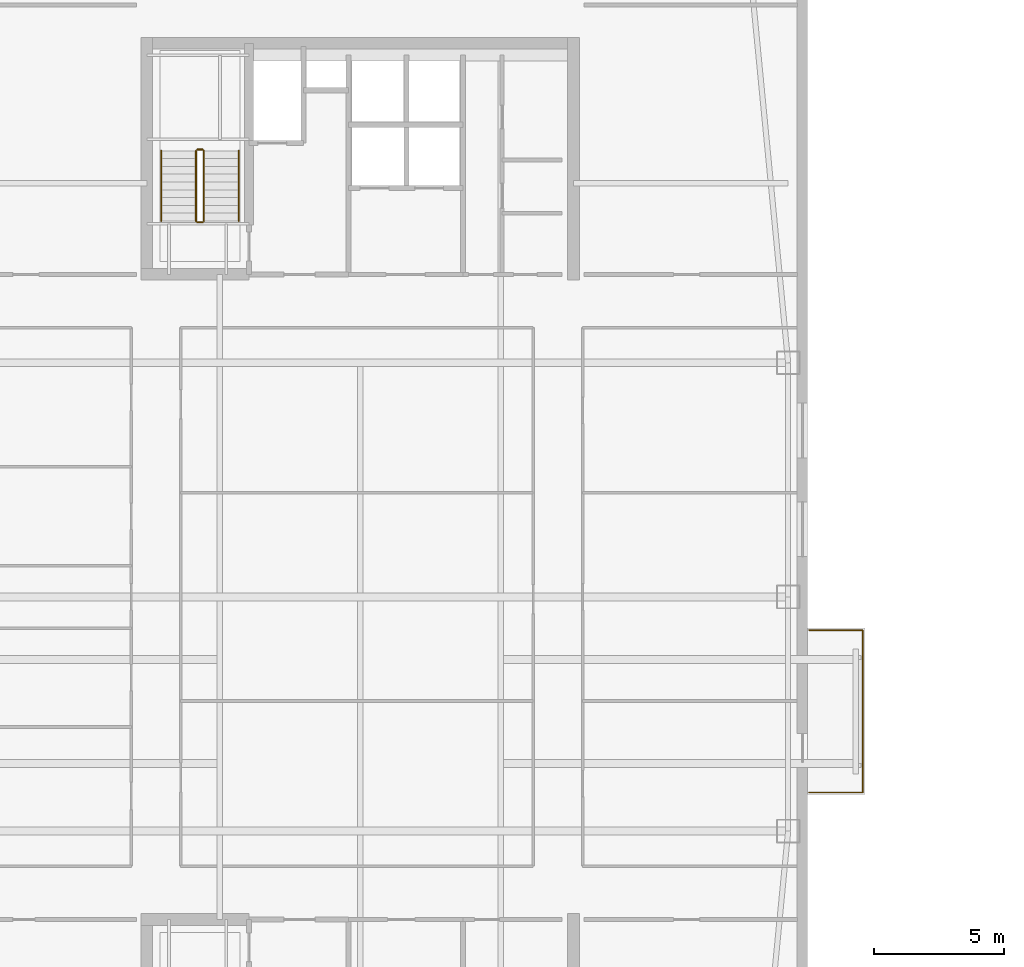
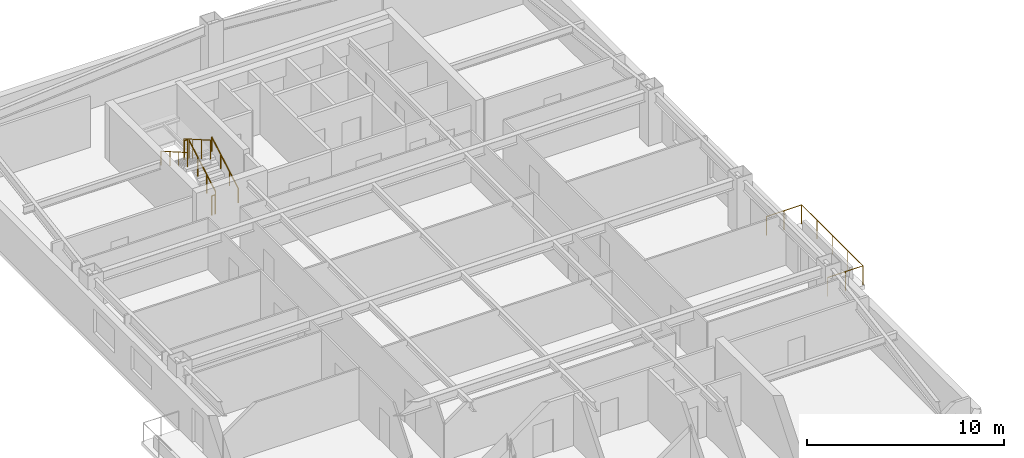
# One storey, part 13 of 15: 7 railings.
"""IFC4 building model written with IfcOpenShell, lengths in metres."""

from ifc_helpers import new_model, si_unit, direction, frame, origin, origin_2d, place, context, subcontext, project, spatial, circle, extrude, material, type_object, element, save


model = new_model("IFC4")

# Units and contexts
model_context = context("Model", 3, precision=1e-05, world=origin(), true_north=direction((0.0, 1.0)))
body_context = subcontext(model_context, "Body", "Model", "MODEL_VIEW")
ifc_project = project(units=[si_unit("LENGTHUNIT", "METRE"), si_unit("AREAUNIT", "SQUARE_METRE"), si_unit("VOLUMEUNIT", "CUBIC_METRE"), si_unit("PLANEANGLEUNIT", "RADIAN"), si_unit("MASSUNIT", "GRAM", prefix="KILO")], contexts=[model_context])

# Site, building, storey
site_placement = place(None, origin())
site = spatial("IfcSite", under=ifc_project, at=site_placement, CompositionType="ELEMENT")
building_placement = place(site_placement, origin())
building = spatial("IfcBuilding", under=site, at=building_placement, Name="Qiaolan Cultural Towers", CompositionType="ELEMENT")
storey_placement = place(building_placement, frame((0.0, 0.0, 209.300048828125)))
storey = spatial("IfcBuildingStorey", under=building, at=storey_placement, Name="L56", CompositionType="ELEMENT", Elevation=209.300048828125)

# Railings
ifc_material_1 = material(Name="Laminated SentryGlas & Stainless Steel S31608 Balustrade", Category="steel")
railing_type_1 = type_object("IfcRailingType", Name="GRD-TERR-1200", PredefinedType="BALUSTRADE", material=ifc_material_1)
railing_1_placement = place(storey_placement, frame((47.25, 26.47998046875, 0.0)))
element("IfcRailing", 1, at=railing_1_placement, inside=storey, type_object=railing_type_1, Name="L56 T1 Tree Balcony Guardrail E", PredefinedType="BALUSTRADE", context=body_context, shape_type="SweptSolid", body=[
    extrude(circle(Radius=0.02392578125, at=origin_2d()), frame((0.0, 0.0, 1.17578125), z_axis=(1.0, 0.0, 0.0), x_axis=(0.0, 1.0, 0.0)), (0.0, 0.0, 1.0), 2.070068359375),
    extrude(circle(Radius=0.02392578125, at=origin_2d()), frame((2.070068359375, 0.0, 1.17578125), z_axis=(0.0, 1.0, 0.0), x_axis=(-1.0, 0.0, 0.0)), (0.0, 0.0, 1.0), 6.239990234375),
    extrude(circle(Radius=0.02392578125, at=origin_2d()), frame((2.070068359375, 6.239990234375, 1.17578125), z_axis=(-1.0, 0.0, 0.0), x_axis=(0.0, -1.0, 0.0)), (0.0, 0.0, 1.0), 2.070068359375),
    extrude(circle(Radius=0.02099609375, at=origin_2d()), origin(), (0.0, 0.0, 1.0), 1.15185546875),
    extrude(circle(Radius=0.02099609375, at=origin_2d()), frame((1.03515625, 0.0, 0.0)), (0.0, 0.0, 1.0), 1.15185546875),
    extrude(circle(Radius=0.02099609375, at=origin_2d()), frame((2.070068359375, 0.0, 0.0)), (0.0, 0.0, 1.0), 1.15185546875),
    extrude(circle(Radius=0.02099609375, at=origin_2d()), frame((2.070068359375, 1.56005859375, 0.0)), (0.0, 0.0, 1.0), 1.15185546875),
    extrude(circle(Radius=0.02099609375, at=origin_2d()), frame((2.070068359375, 3.1201171875, 0.0)), (0.0, 0.0, 1.0), 1.15185546875),
    extrude(circle(Radius=0.02099609375, at=origin_2d()), frame((2.070068359375, 4.679931640625, 0.0)), (0.0, 0.0, 1.0), 1.15185546875),
    extrude(circle(Radius=0.02099609375, at=origin_2d()), frame((2.070068359375, 6.239990234375, 0.0)), (0.0, 0.0, 1.0), 1.15185546875),
    extrude(circle(Radius=0.02099609375, at=origin_2d()), frame((1.03515625, 6.239990234375, 0.0)), (0.0, 0.0, 1.0), 1.15185546875),
    extrude(circle(Radius=0.02099609375, at=origin_2d()), frame((0.0, 6.239990234375, 0.0)), (0.0, 0.0, 1.0), 1.15185546875),
])
ifc_material_2 = material(Name="Galvanized Painted Steel Stair Guardrail", Category="steel")
railing_type_2 = type_object("IfcRailingType", Name="RL-STAIR-GRD", PredefinedType="GUARDRAIL", material=ifc_material_2)
railing_2_placement = place(storey_placement, frame((23.989990234375, 48.449951171875, 0.17236328125)))
element("IfcRailing", 2, at=railing_2_placement, inside=storey, type_object=railing_type_2, Name="L56 ST-W2 stair guard 1", PredefinedType="GUARDRAIL", context=body_context, shape_type="SweptSolid", body=[
    extrude(circle(Radius=0.02392578125, at=origin_2d()), frame((0.0, 0.0, 1.17578125), z_axis=(0.0, 0.866903762492, 0.498475542607), x_axis=(-1.0, 0.0, 0.0)), (0.0, 0.0, 1.0), 3.114501953125),
    extrude(circle(Radius=0.02099609375, at=origin_2d()), origin(), (0.0, 0.0, 1.0), 1.15185546875),
    extrude(circle(Radius=0.02099609375, at=origin_2d()), frame((0.0, 0.89990234375, 0.517578125)), (0.0, 0.0, 1.0), 1.15185546875),
    extrude(circle(Radius=0.02099609375, at=origin_2d()), frame((0.0, 1.800048828125, 1.034912109375)), (0.0, 0.0, 1.0), 1.15185546875),
    extrude(circle(Radius=0.02099609375, at=origin_2d()), frame((0.0, 2.699951171875, 1.552490234375)), (0.0, 0.0, 1.0), 1.15185546875),
])
railing_3_placement = place(storey_placement, frame((23.93994140625, 51.199951171875, 1.724853515625)))
element("IfcRailing", 3, at=railing_3_placement, inside=storey, type_object=railing_type_2, Name="L56 ST-W2 stair guard 2", PredefinedType="GUARDRAIL", context=body_context, shape_type="SweptSolid", body=[
    extrude(circle(Radius=0.02392578125, at=origin_2d()), frame((0.0, 0.0, 1.17578125), z_axis=(-1.0, 0.0, 0.0), x_axis=(0.0, -1.0, 0.0)), (0.0, 0.0, 1.0), 0.199951171875),
    extrude(circle(Radius=0.02099609375, at=origin_2d()), origin(), (0.0, 0.0, 1.0), 1.15185546875),
    extrude(circle(Radius=0.02099609375, at=origin_2d()), frame((-0.199951171875, 0.0, 0.0)), (0.0, 0.0, 1.0), 1.15185546875),
])
railing_4_placement = place(storey_placement, frame((23.68994140625, 51.14990234375, 1.8974609375)))
element("IfcRailing", 4, at=railing_4_placement, inside=storey, type_object=railing_type_2, Name="L56 ST-W2 stair guard 3", PredefinedType="GUARDRAIL", context=body_context, shape_type="SweptSolid", body=[
    extrude(circle(Radius=0.02392578125, at=origin_2d()), frame((0.0, 0.0, 1.17578125), z_axis=(0.0, -0.866903762492, 0.498475542607), x_axis=(1.0, 0.0, 0.0)), (0.0, 0.0, 1.0), 3.114501953125),
    extrude(circle(Radius=0.02099609375, at=origin_2d()), origin(), (0.0, 0.0, 1.0), 1.15185546875),
    extrude(circle(Radius=0.02099609375, at=origin_2d()), frame((0.0, -0.89990234375, 0.517578125)), (0.0, 0.0, 1.0), 1.15185546875),
    extrude(circle(Radius=0.02099609375, at=origin_2d()), frame((0.0, -1.800048828125, 1.034912109375)), (0.0, 0.0, 1.0), 1.15185546875),
    extrude(circle(Radius=0.02099609375, at=origin_2d()), frame((0.0, -2.699951171875, 1.552490234375)), (0.0, 0.0, 1.0), 1.15185546875),
])
railing_5_placement = place(storey_placement, frame((23.93994140625, 48.39990234375, 0.0)))
element("IfcRailing", 5, at=railing_5_placement, inside=storey, type_object=railing_type_2, Name="L56 ST-W2 stair guard 4", PredefinedType="GUARDRAIL", context=body_context, shape_type="SweptSolid", body=[
    extrude(circle(Radius=0.02392578125, at=origin_2d()), frame((0.0, 0.0, 1.17578125), z_axis=(-1.0, 0.0, 0.0), x_axis=(0.0, -1.0, 0.0)), (0.0, 0.0, 1.0), 0.199951171875),
    extrude(circle(Radius=0.02099609375, at=origin_2d()), origin(), (0.0, 0.0, 1.0), 1.15185546875),
    extrude(circle(Radius=0.02099609375, at=origin_2d()), frame((-0.199951171875, 0.0, 0.0)), (0.0, 0.0, 1.0), 1.15185546875),
])
ifc_material_3 = material(Name="Stainless Steel S30408 Tubular Handrail", Category="steel")
railing_type_3 = type_object("IfcRailingType", Name="RL-STAIR-HR", PredefinedType="HANDRAIL", material=ifc_material_3)
railing_6_placement = place(storey_placement, frame((25.330078125, 48.449951171875, 0.17236328125)))
element("IfcRailing", 6, at=railing_6_placement, inside=storey, type_object=railing_type_3, Name="L56 ST-W2 stair handrail 1", PredefinedType="HANDRAIL", context=body_context, shape_type="SweptSolid", body=[
    extrude(circle(Radius=0.02392578125, at=origin_2d()), frame((0.0, 0.0, 0.8759765625), z_axis=(0.0, 0.866903762492, 0.498475542607), x_axis=(-1.0, 0.0, 0.0)), (0.0, 0.0, 1.0), 3.114501953125),
    extrude(circle(Radius=0.02099609375, at=origin_2d()), origin(), (0.0, 0.0, 1.0), 0.851806640625),
    extrude(circle(Radius=0.02099609375, at=origin_2d()), frame((0.0, 0.89990234375, 0.517578125)), (0.0, 0.0, 1.0), 0.851806640625),
    extrude(circle(Radius=0.02099609375, at=origin_2d()), frame((0.0, 1.800048828125, 1.034912109375)), (0.0, 0.0, 1.0), 0.851806640625),
    extrude(circle(Radius=0.02099609375, at=origin_2d()), frame((0.0, 2.699951171875, 1.552490234375)), (0.0, 0.0, 1.0), 0.851806640625),
])
railing_7_placement = place(storey_placement, frame((22.35009765625, 51.14990234375, 1.8974609375)))
element("IfcRailing", 7, at=railing_7_placement, inside=storey, type_object=railing_type_3, Name="L56 ST-W2 stair handrail 2", PredefinedType="HANDRAIL", context=body_context, shape_type="SweptSolid", body=[
    extrude(circle(Radius=0.02392578125, at=origin_2d()), frame((0.0, 0.0, 0.8759765625), z_axis=(0.0, -0.866903762492, 0.498475542607), x_axis=(1.0, 0.0, 0.0)), (0.0, 0.0, 1.0), 3.114501953125),
    extrude(circle(Radius=0.02099609375, at=origin_2d()), origin(), (0.0, 0.0, 1.0), 0.851806640625),
    extrude(circle(Radius=0.02099609375, at=origin_2d()), frame((0.0, -0.89990234375, 0.517578125)), (0.0, 0.0, 1.0), 0.851806640625),
    extrude(circle(Radius=0.02099609375, at=origin_2d()), frame((0.0, -1.800048828125, 1.034912109375)), (0.0, 0.0, 1.0), 0.851806640625),
    extrude(circle(Radius=0.02099609375, at=origin_2d()), frame((0.0, -2.699951171875, 1.552490234375)), (0.0, 0.0, 1.0), 0.851806640625),
])

save(model, "model.ifc")
